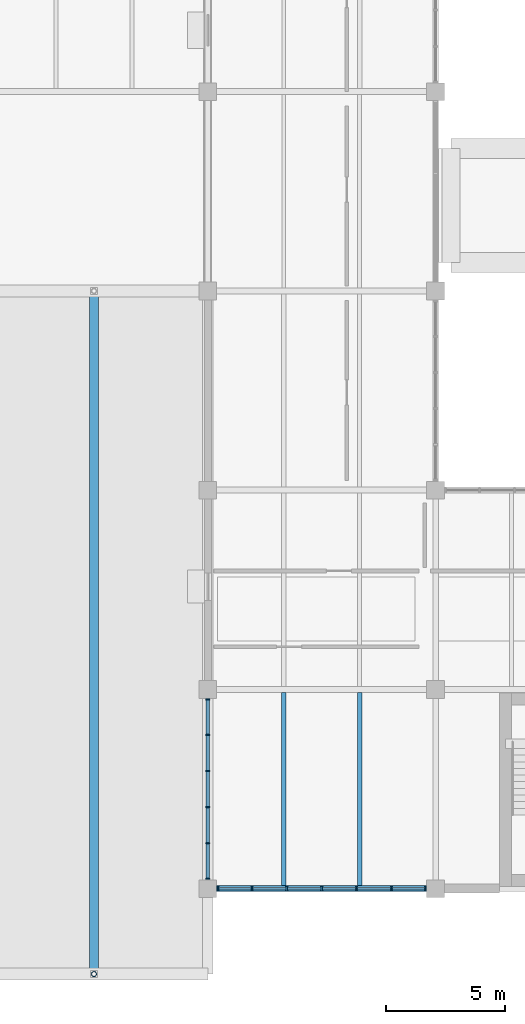
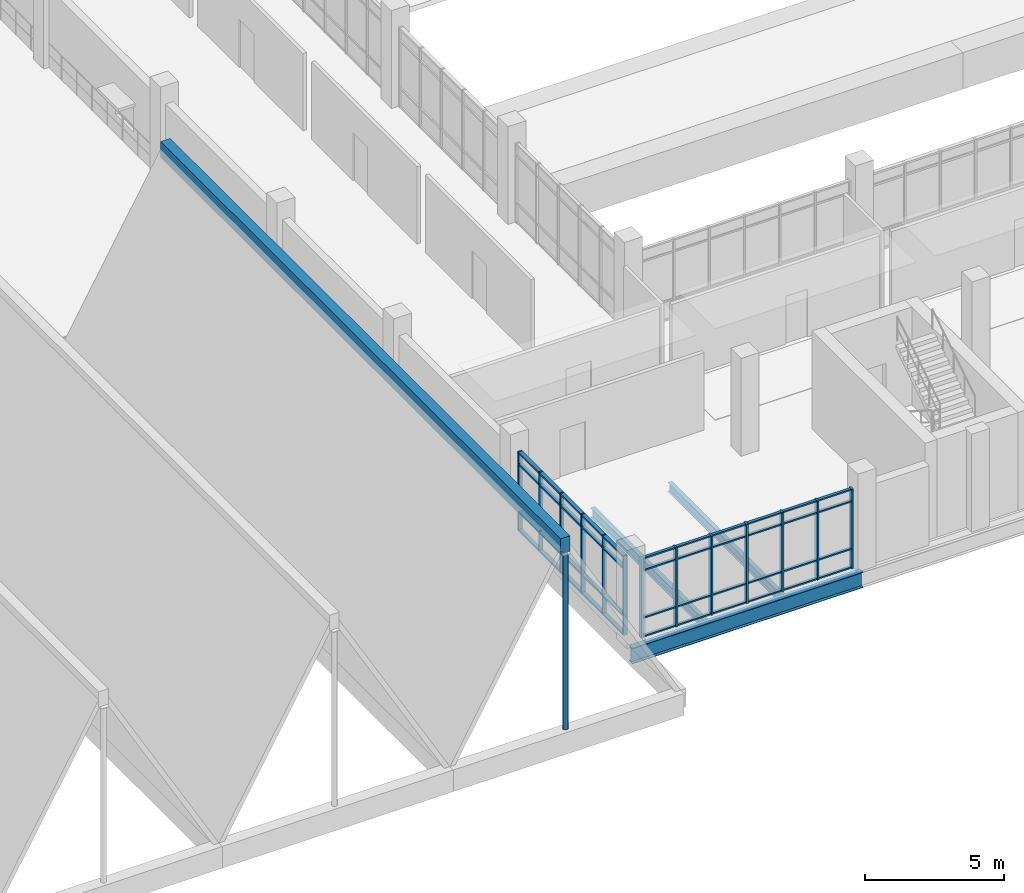
# One storey, part 15 of 86: 58 members, 4 beams, 3 elements without a shape of their own.
"""IFC4 building model written with IfcOpenShell, lengths in metres."""

from ifc_helpers import new_model, si_unit, direction, frame, origin, origin_2d, place, context, subcontext, project, spatial, rectangle, hollow_circle, i_section, extrude, material, material_profile, profile_set, type_object, element, aggregate, save


model = new_model("IFC4")

# Units and contexts
model_context = context("Model", 3, precision=1e-05, world=origin(), true_north=direction((0.0, 1.0)))
body_context = subcontext(model_context, "Body", "Model", "MODEL_VIEW")
ifc_project = project(units=[si_unit("LENGTHUNIT", "METRE"), si_unit("AREAUNIT", "SQUARE_METRE"), si_unit("VOLUMEUNIT", "CUBIC_METRE"), si_unit("PLANEANGLEUNIT", "RADIAN"), si_unit("MASSUNIT", "GRAM", prefix="KILO")], contexts=[model_context])

# Site, building, storey
site_placement = place(None, origin())
site = spatial("IfcSite", under=ifc_project, at=site_placement, CompositionType="ELEMENT")
building_placement = place(site_placement, origin())
building = spatial("IfcBuilding", under=site, at=building_placement, Name="Oolite Switchyard Hospital", CompositionType="ELEMENT")
storey_placement = place(building_placement, frame((0.0, 0.0, 13.5)))
storey = spatial("IfcBuildingStorey", under=building, at=storey_placement, Name="L03", CompositionType="ELEMENT", Elevation=13.5)

# Roof, beam
ifc_material_1 = material(Name="Concrete C40/50", Category="concrete")
roof_type = type_object("IfcRoofType", Name="ROOF-FOLDED", PredefinedType="FREEFORM", material=ifc_material_1)
roof_placement = place(storey_placement, origin())
roof = element("IfcRoof", 1, at=roof_placement, inside=storey, type_object=roof_type, Name="L03 Main Arrival Hall Folded-Plate Roof", PredefinedType="FREEFORM")
ifc_material_profile_1 = material_profile(ifc_material_1, rectangle(XDim=0.39990234375, YDim=0.699951171875, at=origin_2d()), Name="RCR400X700")
ifc_profile_set_1 = profile_set([ifc_material_profile_1], Name="Concrete C40/50")
beam_type_1 = type_object("IfcBeamType", Name="BM-RIDGE700", PredefinedType="T_BEAM", material=ifc_profile_set_1)
beam_1_placement = place(storey_placement, frame((129.60009765625, 4.800048828125, 8.050048828125), z_axis=(0.0, 1.0, 0.0), x_axis=(-1.0, 0.0, 0.0)))
beam_1 = element("IfcBeam", 2, at=beam_1_placement, type_object=beam_type_1, Name="Main Hall Folded-Plate Ridge Beam 7", PredefinedType="T_BEAM", context=body_context, shape_type="SweptSolid", body=[
    extrude(rectangle(XDim=0.39990234375, YDim=0.699951171875, at=origin_2d()), origin(), (0.0, 0.0, 1.0), 28.800048828125),
])

# Beams
ifc_material_2 = material(Name="Steel ASTM A992 Grade 50", Category="steel")
ifc_material_profile_2 = material_profile(ifc_material_2, i_section(OverallWidth=0.177978515625, OverallDepth=0.403076171875, WebThickness=0.008056640625, FlangeThickness=0.010986328125, at=origin_2d()), Name="W16X36")
ifc_profile_set_2 = profile_set([ifc_material_profile_2], Name="Steel ASTM A992 Grade 50")
beam_type_2 = type_object("IfcBeamType", Name="BM-W16X36", PredefinedType="JOIST", material=ifc_profile_set_2)
beam_2_placement = place(storey_placement, frame((140.800048828125, 8.527099609375, -0.47607421875), z_axis=(0.0, 1.0, 0.0), x_axis=(-1.0, 0.0, 0.0)))
element("IfcBeam", 3, at=beam_2_placement, inside=storey, type_object=beam_type_2, Name="L03 Secondary Steel Joist 2589", PredefinedType="JOIST", context=body_context, shape_type="SweptSolid", body=[
    extrude(i_section(OverallWidth=0.177978515625, OverallDepth=0.403076171875, WebThickness=0.008056640625, FlangeThickness=0.010986328125, at=origin_2d()), origin(), (0.0, 0.0, 1.0), 8.14599609375),
])
ifc_material_profile_3 = material_profile(ifc_material_2, i_section(OverallWidth=0.179931640625, OverallDepth=0.4130859375, WebThickness=0.010009765625, FlangeThickness=0.01611328125, at=origin_2d()), Name="W16X50")
ifc_profile_set_3 = profile_set([ifc_material_profile_3], Name="Steel ASTM A992 Grade 50")
beam_type_3 = type_object("IfcBeamType", Name="BM-W16X50", PredefinedType="JOIST", material=ifc_profile_set_3)
beam_3_placement = place(storey_placement, frame((137.60009765625, 8.527099609375, -0.48193359375), z_axis=(0.0, 1.0, 0.0), x_axis=(-1.0, 0.0, 0.0)))
element("IfcBeam", 4, at=beam_3_placement, inside=storey, type_object=beam_type_3, Name="L03 Secondary Steel Joist 2588", PredefinedType="JOIST", context=body_context, shape_type="SweptSolid", body=[
    extrude(i_section(OverallWidth=0.179931640625, OverallDepth=0.4130859375, WebThickness=0.010009765625, FlangeThickness=0.01611328125, at=origin_2d()), origin(), (0.0, 0.0, 1.0), 8.14599609375),
])
ifc_material_profile_4 = material_profile(ifc_material_2, i_section(OverallWidth=0.25390625, OverallDepth=0.68408203125, WebThickness=0.011962890625, FlangeThickness=0.01904296875, at=origin_2d()), Name="W27X94")
ifc_profile_set_4 = profile_set([ifc_material_profile_4], Name="Steel ASTM A992 Grade 50")
beam_type_4 = type_object("IfcBeamType", Name="BM-W27X94", PredefinedType="BEAM", material=ifc_profile_set_4)
beam_4_placement = place(storey_placement, frame((134.39990234375, 8.39990234375, -0.616943359375), z_axis=(1.0, 0.0, 0.0), x_axis=(0.0, 1.0, 0.0)))
element("IfcBeam", 5, at=beam_4_placement, inside=storey, type_object=beam_type_4, Name="L03 X-Girder 1926", PredefinedType="BEAM", context=body_context, shape_type="SweptSolid", body=[
    extrude(i_section(OverallWidth=0.25390625, OverallDepth=0.68408203125, WebThickness=0.011962890625, FlangeThickness=0.01904296875, at=origin_2d()), origin(), (0.0, 0.0, 1.0), 9.60009765625),
])

# Curtain wall, members
ifc_material_3 = material(Name="Thermally broken aluminum frame with laminated impact glazing", Category="aluminium")
curtain_wall_type_1 = type_object("IfcCurtainWallType", Name="CW-UNIT-84X43", PredefinedType="USERDEFINED", material=ifc_material_3)
curtain_wall_1_placement = place(storey_placement, origin())
curtain_wall_1 = element("IfcCurtainWall", 6, at=curtain_wall_1_placement, inside=storey, type_object=curtain_wall_type_1, Name="L03 Unitised Curtain Wall 339", ObjectType="UNITISED", PredefinedType="USERDEFINED")
ifc_material_4 = material(Name="Aluminium 6063-T6", Category="aluminium")
ifc_material_profile_5 = material_profile(ifc_material_4, rectangle(XDim=0.159912109375, YDim=0.06005859375, at=origin_2d()), Name="CWM60X160")
ifc_profile_set_5 = profile_set([ifc_material_profile_5], Name="Aluminium 6063-T6")
member_type_1 = type_object("IfcMemberType", Name="CW-MUL-180", PredefinedType="MULLION", material=ifc_profile_set_5)
member_1_placement = place(storey_placement, frame((134.39990234375, 8.820068359375, 0.0), z_axis=(0.0, 0.0, 1.0), x_axis=(-1.0, 0.0, 0.0)))
member_1 = element("IfcMember", 7, at=member_1_placement, type_object=member_type_1, Name="CW-09 mullion 1", PredefinedType="MULLION", context=body_context, shape_type="SweptSolid", body=[
    extrude(rectangle(XDim=0.159912109375, YDim=0.06005859375, at=origin_2d()), origin(), (0.0, 0.0, 1.0), 3.489990234375),
])
member_2_placement = place(storey_placement, frame((134.39990234375, 10.31396484375, 0.0), z_axis=(0.0, 0.0, 1.0), x_axis=(-1.0, 0.0, 0.0)))
member_2 = element("IfcMember", 8, at=member_2_placement, type_object=member_type_1, Name="CW-09 mullion 2", PredefinedType="MULLION", context=body_context, shape_type="SweptSolid", body=[
    extrude(rectangle(XDim=0.159912109375, YDim=0.06005859375, at=origin_2d()), origin(), (0.0, 0.0, 1.0), 3.489990234375),
])
member_3_placement = place(storey_placement, frame((134.39990234375, 11.837890625, 0.0), z_axis=(0.0, 0.0, 1.0), x_axis=(-1.0, 0.0, 0.0)))
member_3 = element("IfcMember", 9, at=member_3_placement, type_object=member_type_1, Name="CW-09 mullion 3", PredefinedType="MULLION", context=body_context, shape_type="SweptSolid", body=[
    extrude(rectangle(XDim=0.159912109375, YDim=0.06005859375, at=origin_2d()), origin(), (0.0, 0.0, 1.0), 3.489990234375),
])
member_4_placement = place(storey_placement, frame((134.39990234375, 13.362060546875, 0.0), z_axis=(0.0, 0.0, 1.0), x_axis=(-1.0, 0.0, 0.0)))
member_4 = element("IfcMember", 10, at=member_4_placement, type_object=member_type_1, Name="CW-09 mullion 4", PredefinedType="MULLION", context=body_context, shape_type="SweptSolid", body=[
    extrude(rectangle(XDim=0.159912109375, YDim=0.06005859375, at=origin_2d()), origin(), (0.0, 0.0, 1.0), 3.489990234375),
])
member_5_placement = place(storey_placement, frame((134.39990234375, 14.885986328125, 0.0), z_axis=(0.0, 0.0, 1.0), x_axis=(-1.0, 0.0, 0.0)))
member_5 = element("IfcMember", 11, at=member_5_placement, type_object=member_type_1, Name="CW-09 mullion 5", PredefinedType="MULLION", context=body_context, shape_type="SweptSolid", body=[
    extrude(rectangle(XDim=0.159912109375, YDim=0.06005859375, at=origin_2d()), origin(), (0.0, 0.0, 1.0), 3.489990234375),
])
member_6_placement = place(storey_placement, frame((134.39990234375, 16.3798828125, 0.0), z_axis=(0.0, 0.0, 1.0), x_axis=(-1.0, 0.0, 0.0)))
member_6 = element("IfcMember", 12, at=member_6_placement, type_object=member_type_1, Name="CW-09 mullion 6", PredefinedType="MULLION", context=body_context, shape_type="SweptSolid", body=[
    extrude(rectangle(XDim=0.159912109375, YDim=0.06005859375, at=origin_2d()), origin(), (0.0, 0.0, 1.0), 3.489990234375),
])

curtain_wall_type_2 = type_object("IfcCurtainWallType", Name="CW-UNIT-96X43", PredefinedType="USERDEFINED", material=ifc_material_3)
curtain_wall_2_placement = place(storey_placement, origin())
curtain_wall_2 = element("IfcCurtainWall", 13, at=curtain_wall_2_placement, inside=storey, type_object=curtain_wall_type_2, Name="L03 Unitised Curtain Wall 326", ObjectType="UNITISED", PredefinedType="USERDEFINED")
ifc_material_profile_6 = material_profile(ifc_material_4, rectangle(XDim=0.199951171875, YDim=0.074951171875, at=origin_2d()), Name="CWM75X200")
ifc_profile_set_6 = profile_set([ifc_material_profile_6], Name="Aluminium 6063-T6")
member_type_2 = type_object("IfcMemberType", Name="CW-MUL-260", PredefinedType="MULLION", material=ifc_profile_set_6)
member_7_placement = place(storey_placement, frame((143.572509765625, 8.39990234375, 0.0), z_axis=(0.0, 0.0, 1.0), x_axis=(0.0, -1.0, 0.0)))
member_7 = element("IfcMember", 14, at=member_7_placement, type_object=member_type_2, Name="CW-04 mullion 1", PredefinedType="MULLION", context=body_context, shape_type="SweptSolid", body=[
    extrude(rectangle(XDim=0.199951171875, YDim=0.074951171875, at=origin_2d()), origin(), (0.0, 0.0, 1.0), 3.489990234375),
])
member_8_placement = place(storey_placement, frame((142.139892578125, 8.39990234375, 0.0), z_axis=(0.0, 0.0, 1.0), x_axis=(0.0, -1.0, 0.0)))
member_8 = element("IfcMember", 15, at=member_8_placement, type_object=member_type_2, Name="CW-04 mullion 2", PredefinedType="MULLION", context=body_context, shape_type="SweptSolid", body=[
    extrude(rectangle(XDim=0.199951171875, YDim=0.074951171875, at=origin_2d()), origin(), (0.0, 0.0, 1.0), 3.489990234375),
])
member_9_placement = place(storey_placement, frame((140.669921875, 8.39990234375, 0.0), z_axis=(0.0, 0.0, 1.0), x_axis=(0.0, -1.0, 0.0)))
member_9 = element("IfcMember", 16, at=member_9_placement, type_object=member_type_2, Name="CW-04 mullion 3", PredefinedType="MULLION", context=body_context, shape_type="SweptSolid", body=[
    extrude(rectangle(XDim=0.199951171875, YDim=0.074951171875, at=origin_2d()), origin(), (0.0, 0.0, 1.0), 3.489990234375),
])
member_10_placement = place(storey_placement, frame((139.199951171875, 8.39990234375, 0.0), z_axis=(0.0, 0.0, 1.0), x_axis=(0.0, -1.0, 0.0)))
member_10 = element("IfcMember", 17, at=member_10_placement, type_object=member_type_2, Name="CW-04 mullion 4", PredefinedType="MULLION", context=body_context, shape_type="SweptSolid", body=[
    extrude(rectangle(XDim=0.199951171875, YDim=0.074951171875, at=origin_2d()), origin(), (0.0, 0.0, 1.0), 3.489990234375),
])
member_11_placement = place(storey_placement, frame((137.72998046875, 8.39990234375, 0.0), z_axis=(0.0, 0.0, 1.0), x_axis=(0.0, -1.0, 0.0)))
member_11 = element("IfcMember", 18, at=member_11_placement, type_object=member_type_2, Name="CW-04 mullion 5", PredefinedType="MULLION", context=body_context, shape_type="SweptSolid", body=[
    extrude(rectangle(XDim=0.199951171875, YDim=0.074951171875, at=origin_2d()), origin(), (0.0, 0.0, 1.0), 3.489990234375),
])
member_12_placement = place(storey_placement, frame((136.260009765625, 8.39990234375, 0.0), z_axis=(0.0, 0.0, 1.0), x_axis=(0.0, -1.0, 0.0)))
member_12 = element("IfcMember", 19, at=member_12_placement, type_object=member_type_2, Name="CW-04 mullion 6", PredefinedType="MULLION", context=body_context, shape_type="SweptSolid", body=[
    extrude(rectangle(XDim=0.199951171875, YDim=0.074951171875, at=origin_2d()), origin(), (0.0, 0.0, 1.0), 3.489990234375),
])
member_13_placement = place(storey_placement, frame((134.827392578125, 8.39990234375, 0.0), z_axis=(0.0, 0.0, 1.0), x_axis=(0.0, -1.0, 0.0)))
member_13 = element("IfcMember", 20, at=member_13_placement, type_object=member_type_2, Name="CW-04 mullion 7", PredefinedType="MULLION", context=body_context, shape_type="SweptSolid", body=[
    extrude(rectangle(XDim=0.199951171875, YDim=0.074951171875, at=origin_2d()), origin(), (0.0, 0.0, 1.0), 3.489990234375),
])
ifc_material_profile_7 = material_profile(ifc_material_4, rectangle(XDim=0.1201171875, YDim=0.06005859375, at=origin_2d()), Name="CWT60X120")
ifc_profile_set_7 = profile_set([ifc_material_profile_7], Name="Aluminium 6063-T6")
member_type_3 = type_object("IfcMemberType", Name="CW-TRN-150", PredefinedType="USERDEFINED", material=ifc_profile_set_7)
member_14_placement = place(storey_placement, frame((143.534912109375, 8.39990234375, 0.030029296875), z_axis=(-1.0, 0.0, 0.0), x_axis=(0.0, -1.0, 0.0)))
member_14 = element("IfcMember", 21, at=member_14_placement, type_object=member_type_3, Name="CW-04 transom 1.1", ObjectType="TRANSOM", PredefinedType="USERDEFINED", context=body_context, shape_type="SweptSolid", body=[
    extrude(rectangle(XDim=0.1201171875, YDim=0.06005859375, at=origin_2d()), origin(), (0.0, 0.0, 1.0), 1.357421875),
])
member_15_placement = place(storey_placement, frame((143.534912109375, 8.39990234375, 0.85009765625), z_axis=(-1.0, 0.0, 0.0), x_axis=(0.0, -1.0, 0.0)))
member_15 = element("IfcMember", 22, at=member_15_placement, type_object=member_type_3, Name="CW-04 transom 1.2", ObjectType="TRANSOM", PredefinedType="USERDEFINED", context=body_context, shape_type="SweptSolid", body=[
    extrude(rectangle(XDim=0.1201171875, YDim=0.06005859375, at=origin_2d()), origin(), (0.0, 0.0, 1.0), 1.357421875),
])
member_16_placement = place(storey_placement, frame((143.534912109375, 8.39990234375, 2.93994140625), z_axis=(-1.0, 0.0, 0.0), x_axis=(0.0, -1.0, 0.0)))
member_16 = element("IfcMember", 23, at=member_16_placement, type_object=member_type_3, Name="CW-04 transom 1.3", ObjectType="TRANSOM", PredefinedType="USERDEFINED", context=body_context, shape_type="SweptSolid", body=[
    extrude(rectangle(XDim=0.1201171875, YDim=0.06005859375, at=origin_2d()), origin(), (0.0, 0.0, 1.0), 1.357421875),
])
member_17_placement = place(storey_placement, frame((143.534912109375, 8.39990234375, 3.4599609375), z_axis=(-1.0, 0.0, 0.0), x_axis=(0.0, -1.0, 0.0)))
member_17 = element("IfcMember", 24, at=member_17_placement, type_object=member_type_3, Name="CW-04 transom 1.4", ObjectType="TRANSOM", PredefinedType="USERDEFINED", context=body_context, shape_type="SweptSolid", body=[
    extrude(rectangle(XDim=0.1201171875, YDim=0.06005859375, at=origin_2d()), origin(), (0.0, 0.0, 1.0), 1.357421875),
])
member_18_placement = place(storey_placement, frame((142.1025390625, 8.39990234375, 0.030029296875), z_axis=(-1.0, 0.0, 0.0), x_axis=(0.0, -1.0, 0.0)))
member_18 = element("IfcMember", 25, at=member_18_placement, type_object=member_type_3, Name="CW-04 transom 2.1", ObjectType="TRANSOM", PredefinedType="USERDEFINED", context=body_context, shape_type="SweptSolid", body=[
    extrude(rectangle(XDim=0.1201171875, YDim=0.06005859375, at=origin_2d()), origin(), (0.0, 0.0, 1.0), 1.39501953125),
])
member_19_placement = place(storey_placement, frame((142.1025390625, 8.39990234375, 0.85009765625), z_axis=(-1.0, 0.0, 0.0), x_axis=(0.0, -1.0, 0.0)))
member_19 = element("IfcMember", 26, at=member_19_placement, type_object=member_type_3, Name="CW-04 transom 2.2", ObjectType="TRANSOM", PredefinedType="USERDEFINED", context=body_context, shape_type="SweptSolid", body=[
    extrude(rectangle(XDim=0.1201171875, YDim=0.06005859375, at=origin_2d()), origin(), (0.0, 0.0, 1.0), 1.39501953125),
])
member_20_placement = place(storey_placement, frame((142.1025390625, 8.39990234375, 2.93994140625), z_axis=(-1.0, 0.0, 0.0), x_axis=(0.0, -1.0, 0.0)))
member_20 = element("IfcMember", 27, at=member_20_placement, type_object=member_type_3, Name="CW-04 transom 2.3", ObjectType="TRANSOM", PredefinedType="USERDEFINED", context=body_context, shape_type="SweptSolid", body=[
    extrude(rectangle(XDim=0.1201171875, YDim=0.06005859375, at=origin_2d()), origin(), (0.0, 0.0, 1.0), 1.39501953125),
])
member_21_placement = place(storey_placement, frame((142.1025390625, 8.39990234375, 3.4599609375), z_axis=(-1.0, 0.0, 0.0), x_axis=(0.0, -1.0, 0.0)))
member_21 = element("IfcMember", 28, at=member_21_placement, type_object=member_type_3, Name="CW-04 transom 2.4", ObjectType="TRANSOM", PredefinedType="USERDEFINED", context=body_context, shape_type="SweptSolid", body=[
    extrude(rectangle(XDim=0.1201171875, YDim=0.06005859375, at=origin_2d()), origin(), (0.0, 0.0, 1.0), 1.39501953125),
])
member_22_placement = place(storey_placement, frame((140.632568359375, 8.39990234375, 0.030029296875), z_axis=(-1.0, 0.0, 0.0), x_axis=(0.0, -1.0, 0.0)))
member_22 = element("IfcMember", 29, at=member_22_placement, type_object=member_type_3, Name="CW-04 transom 3.1", ObjectType="TRANSOM", PredefinedType="USERDEFINED", context=body_context, shape_type="SweptSolid", body=[
    extrude(rectangle(XDim=0.1201171875, YDim=0.06005859375, at=origin_2d()), origin(), (0.0, 0.0, 1.0), 1.39501953125),
])
member_23_placement = place(storey_placement, frame((140.632568359375, 8.39990234375, 0.85009765625), z_axis=(-1.0, 0.0, 0.0), x_axis=(0.0, -1.0, 0.0)))
member_23 = element("IfcMember", 30, at=member_23_placement, type_object=member_type_3, Name="CW-04 transom 3.2", ObjectType="TRANSOM", PredefinedType="USERDEFINED", context=body_context, shape_type="SweptSolid", body=[
    extrude(rectangle(XDim=0.1201171875, YDim=0.06005859375, at=origin_2d()), origin(), (0.0, 0.0, 1.0), 1.39501953125),
])
member_24_placement = place(storey_placement, frame((140.632568359375, 8.39990234375, 2.93994140625), z_axis=(-1.0, 0.0, 0.0), x_axis=(0.0, -1.0, 0.0)))
member_24 = element("IfcMember", 31, at=member_24_placement, type_object=member_type_3, Name="CW-04 transom 3.3", ObjectType="TRANSOM", PredefinedType="USERDEFINED", context=body_context, shape_type="SweptSolid", body=[
    extrude(rectangle(XDim=0.1201171875, YDim=0.06005859375, at=origin_2d()), origin(), (0.0, 0.0, 1.0), 1.39501953125),
])
member_25_placement = place(storey_placement, frame((140.632568359375, 8.39990234375, 3.4599609375), z_axis=(-1.0, 0.0, 0.0), x_axis=(0.0, -1.0, 0.0)))
member_25 = element("IfcMember", 32, at=member_25_placement, type_object=member_type_3, Name="CW-04 transom 3.4", ObjectType="TRANSOM", PredefinedType="USERDEFINED", context=body_context, shape_type="SweptSolid", body=[
    extrude(rectangle(XDim=0.1201171875, YDim=0.06005859375, at=origin_2d()), origin(), (0.0, 0.0, 1.0), 1.39501953125),
])
member_26_placement = place(storey_placement, frame((139.16259765625, 8.39990234375, 0.030029296875), z_axis=(-1.0, 0.0, 0.0), x_axis=(0.0, -1.0, 0.0)))
member_26 = element("IfcMember", 33, at=member_26_placement, type_object=member_type_3, Name="CW-04 transom 4.1", ObjectType="TRANSOM", PredefinedType="USERDEFINED", context=body_context, shape_type="SweptSolid", body=[
    extrude(rectangle(XDim=0.1201171875, YDim=0.06005859375, at=origin_2d()), origin(), (0.0, 0.0, 1.0), 1.39501953125),
])
member_27_placement = place(storey_placement, frame((139.16259765625, 8.39990234375, 0.85009765625), z_axis=(-1.0, 0.0, 0.0), x_axis=(0.0, -1.0, 0.0)))
member_27 = element("IfcMember", 34, at=member_27_placement, type_object=member_type_3, Name="CW-04 transom 4.2", ObjectType="TRANSOM", PredefinedType="USERDEFINED", context=body_context, shape_type="SweptSolid", body=[
    extrude(rectangle(XDim=0.1201171875, YDim=0.06005859375, at=origin_2d()), origin(), (0.0, 0.0, 1.0), 1.39501953125),
])
member_28_placement = place(storey_placement, frame((139.16259765625, 8.39990234375, 2.93994140625), z_axis=(-1.0, 0.0, 0.0), x_axis=(0.0, -1.0, 0.0)))
member_28 = element("IfcMember", 35, at=member_28_placement, type_object=member_type_3, Name="CW-04 transom 4.3", ObjectType="TRANSOM", PredefinedType="USERDEFINED", context=body_context, shape_type="SweptSolid", body=[
    extrude(rectangle(XDim=0.1201171875, YDim=0.06005859375, at=origin_2d()), origin(), (0.0, 0.0, 1.0), 1.39501953125),
])
member_29_placement = place(storey_placement, frame((139.16259765625, 8.39990234375, 3.4599609375), z_axis=(-1.0, 0.0, 0.0), x_axis=(0.0, -1.0, 0.0)))
member_29 = element("IfcMember", 36, at=member_29_placement, type_object=member_type_3, Name="CW-04 transom 4.4", ObjectType="TRANSOM", PredefinedType="USERDEFINED", context=body_context, shape_type="SweptSolid", body=[
    extrude(rectangle(XDim=0.1201171875, YDim=0.06005859375, at=origin_2d()), origin(), (0.0, 0.0, 1.0), 1.39501953125),
])
member_30_placement = place(storey_placement, frame((137.6923828125, 8.39990234375, 0.030029296875), z_axis=(-1.0, 0.0, 0.0), x_axis=(0.0, -1.0, 0.0)))
member_30 = element("IfcMember", 37, at=member_30_placement, type_object=member_type_3, Name="CW-04 transom 5.1", ObjectType="TRANSOM", PredefinedType="USERDEFINED", context=body_context, shape_type="SweptSolid", body=[
    extrude(rectangle(XDim=0.1201171875, YDim=0.06005859375, at=origin_2d()), origin(), (0.0, 0.0, 1.0), 1.394775390625),
])
member_31_placement = place(storey_placement, frame((137.6923828125, 8.39990234375, 0.85009765625), z_axis=(-1.0, 0.0, 0.0), x_axis=(0.0, -1.0, 0.0)))
member_31 = element("IfcMember", 38, at=member_31_placement, type_object=member_type_3, Name="CW-04 transom 5.2", ObjectType="TRANSOM", PredefinedType="USERDEFINED", context=body_context, shape_type="SweptSolid", body=[
    extrude(rectangle(XDim=0.1201171875, YDim=0.06005859375, at=origin_2d()), origin(), (0.0, 0.0, 1.0), 1.394775390625),
])
member_32_placement = place(storey_placement, frame((137.6923828125, 8.39990234375, 2.93994140625), z_axis=(-1.0, 0.0, 0.0), x_axis=(0.0, -1.0, 0.0)))
member_32 = element("IfcMember", 39, at=member_32_placement, type_object=member_type_3, Name="CW-04 transom 5.3", ObjectType="TRANSOM", PredefinedType="USERDEFINED", context=body_context, shape_type="SweptSolid", body=[
    extrude(rectangle(XDim=0.1201171875, YDim=0.06005859375, at=origin_2d()), origin(), (0.0, 0.0, 1.0), 1.394775390625),
])
member_33_placement = place(storey_placement, frame((137.6923828125, 8.39990234375, 3.4599609375), z_axis=(-1.0, 0.0, 0.0), x_axis=(0.0, -1.0, 0.0)))
member_33 = element("IfcMember", 40, at=member_33_placement, type_object=member_type_3, Name="CW-04 transom 5.4", ObjectType="TRANSOM", PredefinedType="USERDEFINED", context=body_context, shape_type="SweptSolid", body=[
    extrude(rectangle(XDim=0.1201171875, YDim=0.06005859375, at=origin_2d()), origin(), (0.0, 0.0, 1.0), 1.394775390625),
])
member_34_placement = place(storey_placement, frame((136.222412109375, 8.39990234375, 0.030029296875), z_axis=(-1.0, 0.0, 0.0), x_axis=(0.0, -1.0, 0.0)))
member_34 = element("IfcMember", 41, at=member_34_placement, type_object=member_type_3, Name="CW-04 transom 6.1", ObjectType="TRANSOM", PredefinedType="USERDEFINED", context=body_context, shape_type="SweptSolid", body=[
    extrude(rectangle(XDim=0.1201171875, YDim=0.06005859375, at=origin_2d()), origin(), (0.0, 0.0, 1.0), 1.357421875),
])
member_35_placement = place(storey_placement, frame((136.222412109375, 8.39990234375, 0.85009765625), z_axis=(-1.0, 0.0, 0.0), x_axis=(0.0, -1.0, 0.0)))
member_35 = element("IfcMember", 42, at=member_35_placement, type_object=member_type_3, Name="CW-04 transom 6.2", ObjectType="TRANSOM", PredefinedType="USERDEFINED", context=body_context, shape_type="SweptSolid", body=[
    extrude(rectangle(XDim=0.1201171875, YDim=0.06005859375, at=origin_2d()), origin(), (0.0, 0.0, 1.0), 1.357421875),
])
member_36_placement = place(storey_placement, frame((136.222412109375, 8.39990234375, 2.93994140625), z_axis=(-1.0, 0.0, 0.0), x_axis=(0.0, -1.0, 0.0)))
member_36 = element("IfcMember", 43, at=member_36_placement, type_object=member_type_3, Name="CW-04 transom 6.3", ObjectType="TRANSOM", PredefinedType="USERDEFINED", context=body_context, shape_type="SweptSolid", body=[
    extrude(rectangle(XDim=0.1201171875, YDim=0.06005859375, at=origin_2d()), origin(), (0.0, 0.0, 1.0), 1.357421875),
])
member_37_placement = place(storey_placement, frame((136.222412109375, 8.39990234375, 3.4599609375), z_axis=(-1.0, 0.0, 0.0), x_axis=(0.0, -1.0, 0.0)))
member_37 = element("IfcMember", 44, at=member_37_placement, type_object=member_type_3, Name="CW-04 transom 6.4", ObjectType="TRANSOM", PredefinedType="USERDEFINED", context=body_context, shape_type="SweptSolid", body=[
    extrude(rectangle(XDim=0.1201171875, YDim=0.06005859375, at=origin_2d()), origin(), (0.0, 0.0, 1.0), 1.357421875),
])
aggregate(curtain_wall_2, [member_7, member_8, member_9, member_10, member_11, member_12, member_13, member_14, member_15, member_16, member_17, member_18, member_19, member_20, member_21, member_22, member_23, member_24, member_25, member_26, member_27, member_28, member_29, member_30, member_31, member_32, member_33, member_34, member_35, member_36, member_37])

# Member
ifc_material_profile_8 = material_profile(ifc_material_4, rectangle(XDim=0.159912109375, YDim=0.074951171875, at=origin_2d()), Name="CWT75X160")
ifc_profile_set_8 = profile_set([ifc_material_profile_8], Name="Aluminium 6063-T6")
member_type_4 = type_object("IfcMemberType", Name="CW-TRN-180", PredefinedType="USERDEFINED", material=ifc_profile_set_8)
member_38_placement = place(storey_placement, frame((134.39990234375, 8.85009765625, 0.03759765625), z_axis=(0.0, 1.0, 0.0), x_axis=(-1.0, 0.0, 0.0)))
member_38 = element("IfcMember", 45, at=member_38_placement, type_object=member_type_4, Name="CW-09 transom 1.1", ObjectType="TRANSOM", PredefinedType="USERDEFINED", context=body_context, shape_type="SweptSolid", body=[
    extrude(rectangle(XDim=0.159912109375, YDim=0.074951171875, at=origin_2d()), origin(), (0.0, 0.0, 1.0), 1.433837890625),
])

member_39_placement = place(storey_placement, frame((134.39990234375, 8.85009765625, 0.85009765625), z_axis=(0.0, 1.0, 0.0), x_axis=(-1.0, 0.0, 0.0)))
member_39 = element("IfcMember", 46, at=member_39_placement, type_object=member_type_4, Name="CW-09 transom 1.2", ObjectType="TRANSOM", PredefinedType="USERDEFINED", context=body_context, shape_type="SweptSolid", body=[
    extrude(rectangle(XDim=0.159912109375, YDim=0.074951171875, at=origin_2d()), origin(), (0.0, 0.0, 1.0), 1.433837890625),
])

member_40_placement = place(storey_placement, frame((134.39990234375, 8.85009765625, 2.93994140625), z_axis=(0.0, 1.0, 0.0), x_axis=(-1.0, 0.0, 0.0)))
member_40 = element("IfcMember", 47, at=member_40_placement, type_object=member_type_4, Name="CW-09 transom 1.3", ObjectType="TRANSOM", PredefinedType="USERDEFINED", context=body_context, shape_type="SweptSolid", body=[
    extrude(rectangle(XDim=0.159912109375, YDim=0.074951171875, at=origin_2d()), origin(), (0.0, 0.0, 1.0), 1.433837890625),
])

member_41_placement = place(storey_placement, frame((134.39990234375, 8.85009765625, 3.452392578125), z_axis=(0.0, 1.0, 0.0), x_axis=(-1.0, 0.0, 0.0)))
member_41 = element("IfcMember", 48, at=member_41_placement, type_object=member_type_4, Name="CW-09 transom 1.4", ObjectType="TRANSOM", PredefinedType="USERDEFINED", context=body_context, shape_type="SweptSolid", body=[
    extrude(rectangle(XDim=0.159912109375, YDim=0.074951171875, at=origin_2d()), origin(), (0.0, 0.0, 1.0), 1.433837890625),
])

member_42_placement = place(storey_placement, frame((134.39990234375, 10.343994140625, 0.03759765625), z_axis=(0.0, 1.0, 0.0), x_axis=(-1.0, 0.0, 0.0)))
member_42 = element("IfcMember", 49, at=member_42_placement, type_object=member_type_4, Name="CW-09 transom 2.1", ObjectType="TRANSOM", PredefinedType="USERDEFINED", context=body_context, shape_type="SweptSolid", body=[
    extrude(rectangle(XDim=0.159912109375, YDim=0.074951171875, at=origin_2d()), origin(), (0.0, 0.0, 1.0), 1.464111328125),
])

member_43_placement = place(storey_placement, frame((134.39990234375, 10.343994140625, 0.85009765625), z_axis=(0.0, 1.0, 0.0), x_axis=(-1.0, 0.0, 0.0)))
member_43 = element("IfcMember", 50, at=member_43_placement, type_object=member_type_4, Name="CW-09 transom 2.2", ObjectType="TRANSOM", PredefinedType="USERDEFINED", context=body_context, shape_type="SweptSolid", body=[
    extrude(rectangle(XDim=0.159912109375, YDim=0.074951171875, at=origin_2d()), origin(), (0.0, 0.0, 1.0), 1.464111328125),
])

member_44_placement = place(storey_placement, frame((134.39990234375, 10.343994140625, 2.93994140625), z_axis=(0.0, 1.0, 0.0), x_axis=(-1.0, 0.0, 0.0)))
member_44 = element("IfcMember", 51, at=member_44_placement, type_object=member_type_4, Name="CW-09 transom 2.3", ObjectType="TRANSOM", PredefinedType="USERDEFINED", context=body_context, shape_type="SweptSolid", body=[
    extrude(rectangle(XDim=0.159912109375, YDim=0.074951171875, at=origin_2d()), origin(), (0.0, 0.0, 1.0), 1.464111328125),
])

member_45_placement = place(storey_placement, frame((134.39990234375, 10.343994140625, 3.452392578125), z_axis=(0.0, 1.0, 0.0), x_axis=(-1.0, 0.0, 0.0)))
member_45 = element("IfcMember", 52, at=member_45_placement, type_object=member_type_4, Name="CW-09 transom 2.4", ObjectType="TRANSOM", PredefinedType="USERDEFINED", context=body_context, shape_type="SweptSolid", body=[
    extrude(rectangle(XDim=0.159912109375, YDim=0.074951171875, at=origin_2d()), origin(), (0.0, 0.0, 1.0), 1.464111328125),
])

member_46_placement = place(storey_placement, frame((134.39990234375, 11.867919921875, 0.03759765625), z_axis=(0.0, 1.0, 0.0), x_axis=(-1.0, 0.0, 0.0)))
member_46 = element("IfcMember", 53, at=member_46_placement, type_object=member_type_4, Name="CW-09 transom 3.1", ObjectType="TRANSOM", PredefinedType="USERDEFINED", context=body_context, shape_type="SweptSolid", body=[
    extrude(rectangle(XDim=0.159912109375, YDim=0.074951171875, at=origin_2d()), origin(), (0.0, 0.0, 1.0), 1.464111328125),
])

member_47_placement = place(storey_placement, frame((134.39990234375, 11.867919921875, 0.85009765625), z_axis=(0.0, 1.0, 0.0), x_axis=(-1.0, 0.0, 0.0)))
member_47 = element("IfcMember", 54, at=member_47_placement, type_object=member_type_4, Name="CW-09 transom 3.2", ObjectType="TRANSOM", PredefinedType="USERDEFINED", context=body_context, shape_type="SweptSolid", body=[
    extrude(rectangle(XDim=0.159912109375, YDim=0.074951171875, at=origin_2d()), origin(), (0.0, 0.0, 1.0), 1.464111328125),
])

member_48_placement = place(storey_placement, frame((134.39990234375, 11.867919921875, 2.93994140625), z_axis=(0.0, 1.0, 0.0), x_axis=(-1.0, 0.0, 0.0)))
member_48 = element("IfcMember", 55, at=member_48_placement, type_object=member_type_4, Name="CW-09 transom 3.3", ObjectType="TRANSOM", PredefinedType="USERDEFINED", context=body_context, shape_type="SweptSolid", body=[
    extrude(rectangle(XDim=0.159912109375, YDim=0.074951171875, at=origin_2d()), origin(), (0.0, 0.0, 1.0), 1.464111328125),
])

member_49_placement = place(storey_placement, frame((134.39990234375, 11.867919921875, 3.452392578125), z_axis=(0.0, 1.0, 0.0), x_axis=(-1.0, 0.0, 0.0)))
member_49 = element("IfcMember", 56, at=member_49_placement, type_object=member_type_4, Name="CW-09 transom 3.4", ObjectType="TRANSOM", PredefinedType="USERDEFINED", context=body_context, shape_type="SweptSolid", body=[
    extrude(rectangle(XDim=0.159912109375, YDim=0.074951171875, at=origin_2d()), origin(), (0.0, 0.0, 1.0), 1.464111328125),
])

member_50_placement = place(storey_placement, frame((134.39990234375, 13.39208984375, 0.03759765625), z_axis=(0.0, 1.0, 0.0), x_axis=(-1.0, 0.0, 0.0)))
member_50 = element("IfcMember", 57, at=member_50_placement, type_object=member_type_4, Name="CW-09 transom 4.1", ObjectType="TRANSOM", PredefinedType="USERDEFINED", context=body_context, shape_type="SweptSolid", body=[
    extrude(rectangle(XDim=0.159912109375, YDim=0.074951171875, at=origin_2d()), origin(), (0.0, 0.0, 1.0), 1.4638671875),
])

member_51_placement = place(storey_placement, frame((134.39990234375, 13.39208984375, 0.85009765625), z_axis=(0.0, 1.0, 0.0), x_axis=(-1.0, 0.0, 0.0)))
member_51 = element("IfcMember", 58, at=member_51_placement, type_object=member_type_4, Name="CW-09 transom 4.2", ObjectType="TRANSOM", PredefinedType="USERDEFINED", context=body_context, shape_type="SweptSolid", body=[
    extrude(rectangle(XDim=0.159912109375, YDim=0.074951171875, at=origin_2d()), origin(), (0.0, 0.0, 1.0), 1.4638671875),
])

member_52_placement = place(storey_placement, frame((134.39990234375, 13.39208984375, 2.93994140625), z_axis=(0.0, 1.0, 0.0), x_axis=(-1.0, 0.0, 0.0)))
member_52 = element("IfcMember", 59, at=member_52_placement, type_object=member_type_4, Name="CW-09 transom 4.3", ObjectType="TRANSOM", PredefinedType="USERDEFINED", context=body_context, shape_type="SweptSolid", body=[
    extrude(rectangle(XDim=0.159912109375, YDim=0.074951171875, at=origin_2d()), origin(), (0.0, 0.0, 1.0), 1.4638671875),
])

member_53_placement = place(storey_placement, frame((134.39990234375, 13.39208984375, 3.452392578125), z_axis=(0.0, 1.0, 0.0), x_axis=(-1.0, 0.0, 0.0)))
member_53 = element("IfcMember", 60, at=member_53_placement, type_object=member_type_4, Name="CW-09 transom 4.4", ObjectType="TRANSOM", PredefinedType="USERDEFINED", context=body_context, shape_type="SweptSolid", body=[
    extrude(rectangle(XDim=0.159912109375, YDim=0.074951171875, at=origin_2d()), origin(), (0.0, 0.0, 1.0), 1.4638671875),
])

member_54_placement = place(storey_placement, frame((134.39990234375, 14.916015625, 0.03759765625), z_axis=(0.0, 1.0, 0.0), x_axis=(-1.0, 0.0, 0.0)))
member_54 = element("IfcMember", 61, at=member_54_placement, type_object=member_type_4, Name="CW-09 transom 5.1", ObjectType="TRANSOM", PredefinedType="USERDEFINED", context=body_context, shape_type="SweptSolid", body=[
    extrude(rectangle(XDim=0.159912109375, YDim=0.074951171875, at=origin_2d()), origin(), (0.0, 0.0, 1.0), 1.43408203125),
])

member_55_placement = place(storey_placement, frame((134.39990234375, 14.916015625, 0.85009765625), z_axis=(0.0, 1.0, 0.0), x_axis=(-1.0, 0.0, 0.0)))
member_55 = element("IfcMember", 62, at=member_55_placement, type_object=member_type_4, Name="CW-09 transom 5.2", ObjectType="TRANSOM", PredefinedType="USERDEFINED", context=body_context, shape_type="SweptSolid", body=[
    extrude(rectangle(XDim=0.159912109375, YDim=0.074951171875, at=origin_2d()), origin(), (0.0, 0.0, 1.0), 1.43408203125),
])

member_56_placement = place(storey_placement, frame((134.39990234375, 14.916015625, 2.93994140625), z_axis=(0.0, 1.0, 0.0), x_axis=(-1.0, 0.0, 0.0)))
member_56 = element("IfcMember", 63, at=member_56_placement, type_object=member_type_4, Name="CW-09 transom 5.3", ObjectType="TRANSOM", PredefinedType="USERDEFINED", context=body_context, shape_type="SweptSolid", body=[
    extrude(rectangle(XDim=0.159912109375, YDim=0.074951171875, at=origin_2d()), origin(), (0.0, 0.0, 1.0), 1.43408203125),
])

member_57_placement = place(storey_placement, frame((134.39990234375, 14.916015625, 3.452392578125), z_axis=(0.0, 1.0, 0.0), x_axis=(-1.0, 0.0, 0.0)))
member_57 = element("IfcMember", 64, at=member_57_placement, type_object=member_type_4, Name="CW-09 transom 5.4", ObjectType="TRANSOM", PredefinedType="USERDEFINED", context=body_context, shape_type="SweptSolid", body=[
    extrude(rectangle(XDim=0.159912109375, YDim=0.074951171875, at=origin_2d()), origin(), (0.0, 0.0, 1.0), 1.43408203125),
])

aggregate(curtain_wall_1, [member_1, member_2, member_3, member_4, member_5, member_6, member_38, member_39, member_40, member_41, member_42, member_43, member_44, member_45, member_46, member_47, member_48, member_49, member_50, member_51, member_52, member_53, member_54, member_55, member_56, member_57])

ifc_material_5 = material(Name="Steel ASTM A500 Grade C", Category="steel")
ifc_material_profile_9 = material_profile(ifc_material_5, hollow_circle(Radius=0.109619140625, WallThickness=0.012939453125, at=origin_2d()), Name="HSS219X13")
ifc_profile_set_9 = profile_set([ifc_material_profile_9], Name="Steel ASTM A500 Grade C")
member_type_5 = type_object("IfcMemberType", Name="MEM-ST-CHS219", PredefinedType="STRUT", material=ifc_profile_set_9)
member_58_placement = place(storey_placement, frame((129.60009765625, 4.800048828125, 0.0), z_axis=(0.0, 0.0, 1.0), x_axis=(1.0, 0.0, 0.0)))
member_58 = element("IfcMember", 65, at=member_58_placement, type_object=member_type_5, Name="Main Hall Gable King-Post Strut S7", PredefinedType="STRUT", context=body_context, shape_type="SweptSolid", body=[
    extrude(hollow_circle(Radius=0.109619140625, WallThickness=0.012939453125, at=origin_2d()), origin(), (0.0, 0.0, 1.0), 7.699951171875),
])

aggregate(roof, [beam_1, member_58])

save(model, "model.ifc")
